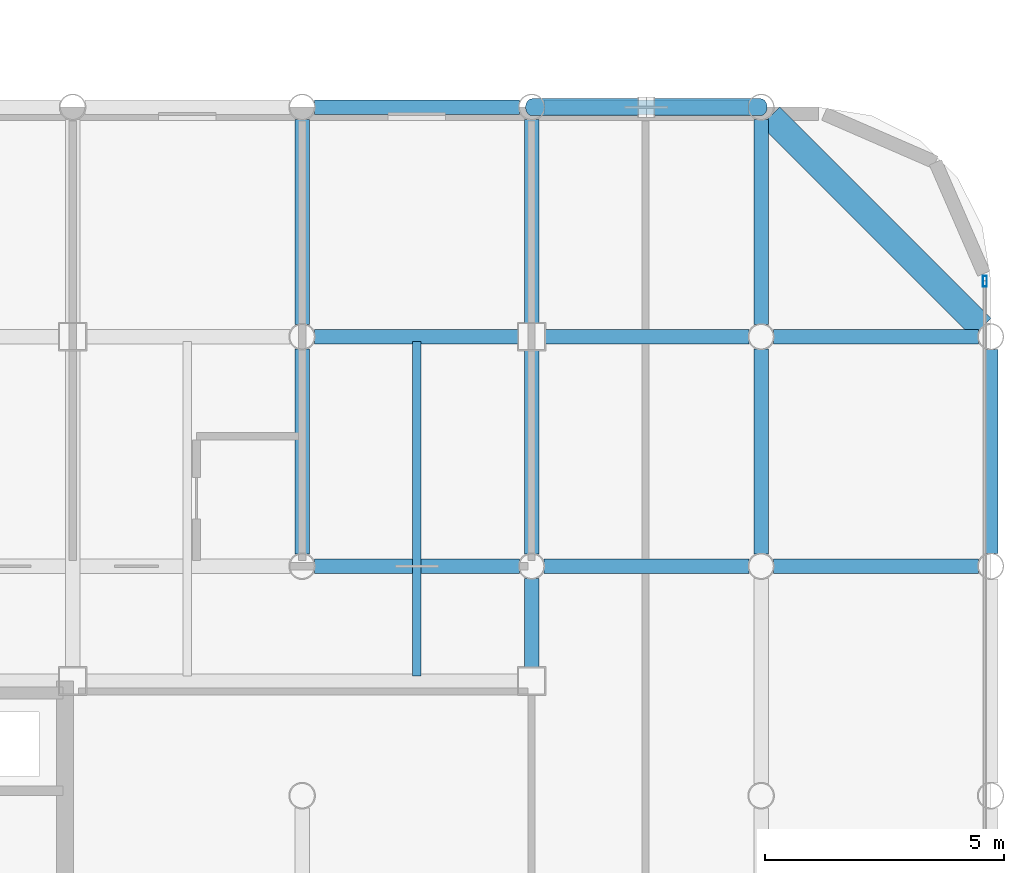
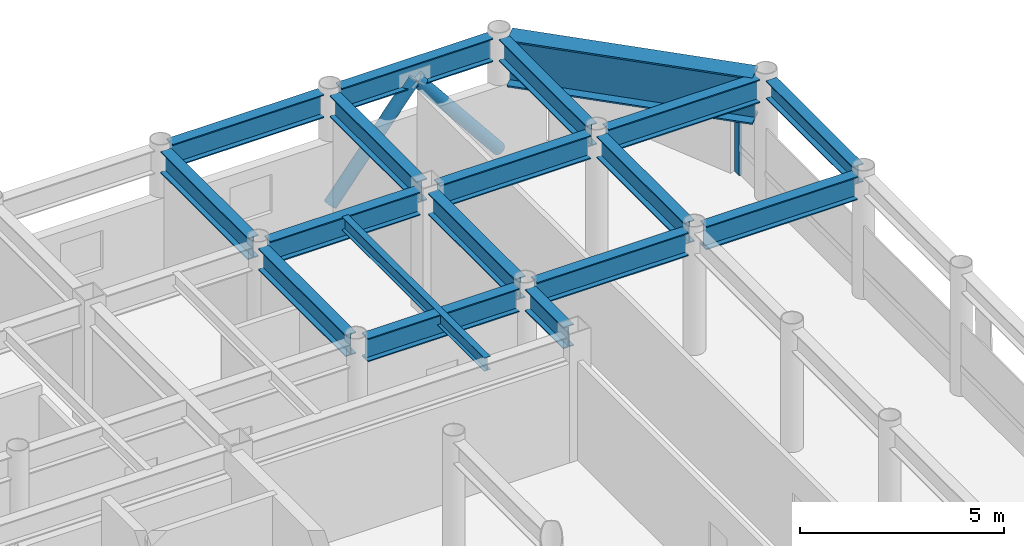
# One storey, part 15 of 23: 18 beams, 3 members, 1 element without a shape of its own.
"""IFC4 building model written with IfcOpenShell, lengths in metres."""

import ifcopenshell
import ifcopenshell.guid

model = None  # the IFC model being written
_history = None  # IfcOwnerHistory: only IFC2X3 demands one
_inside = {}  # id of a spatial element -> (the spatial element, [elements in it])
_under = {}  # id of a project, library or spatial element -> (it, [spatial elements below it])
_declared = {}  # id of a project -> (the project, [libraries it declares])
_typed = {}  # id of a type object -> (the type object, [elements of that type])
_made_of = {}  # id of a material, layer set ... -> (it, [elements and type objects made of it])


def new_model(schema):
    """Start an empty IFC model of exactly this schema.

    Asked for "IFC4X3", IfcOpenShell would pick the latest addendum, in which some entities
    have other attributes; the version numbers below select the first issue.
    IFC2X3 requires an IfcOwnerHistory on every rooted entity: one is made here for all.
    """
    global model, _history
    if schema == "IFC4X3":
        model = ifcopenshell.file(schema_version=(4, 3, 0, 0))
    else:
        model = ifcopenshell.file(schema=schema)
    _inside.clear()
    _under.clear()
    _declared.clear()
    _typed.clear()
    _made_of.clear()
    _history = None
    if model.schema == "IFC2X3":
        org = make("IfcOrganization", Name="unknown")
        user = make(
            "IfcPersonAndOrganization",
            ThePerson=make("IfcPerson", FamilyName="unknown"),
            TheOrganization=org,
        )
        app = make(
            "IfcApplication",
            ApplicationDeveloper=org,
            Version="unknown",
            ApplicationFullName="unknown",
            ApplicationIdentifier="unknown",
        )
        _history = make(
            "IfcOwnerHistory",
            OwningUser=user,
            OwningApplication=app,
            ChangeAction="ADDED",
            CreationDate=0,
        )
    return model


def make(cls, **values):
    """One entity of the class cls with the attributes given. An attribute that is None is left unset."""
    return model.create_entity(
        cls, **{name: value for name, value in values.items() if value is not None}
    )


def rooted(cls, **values):
    """An entity with a GlobalId (a new one), such as an element, a storey or a relation."""
    return make(cls, GlobalId=ifcopenshell.guid.new(), OwnerHistory=_history, **values)


def si_unit(unit_type, name, prefix=None):
    """IfcSIUnit, for example si_unit("LENGTHUNIT", "METRE", prefix="MILLI")."""
    return make("IfcSIUnit", UnitType=unit_type, Prefix=prefix, Name=name)


def assignment(units):
    """IfcUnitAssignment: the units of a project."""
    return None if units is None else make("IfcUnitAssignment", Units=units)


def point(xyz):
    """IfcCartesianPoint."""
    return None if xyz is None else make("IfcCartesianPoint", Coordinates=xyz)


def direction(xyz):
    """IfcDirection."""
    return None if xyz is None else make("IfcDirection", DirectionRatios=xyz)


def frame(location, z_axis=None, x_axis=None):
    """IfcAxis2Placement3D, a coordinate frame: its origin and axes. An axis left out is left unset."""
    return make(
        "IfcAxis2Placement3D",
        Location=point(location),
        Axis=direction(z_axis),
        RefDirection=direction(x_axis),
    )


def frame_2d(location, x_axis=None):
    """IfcAxis2Placement2D, a coordinate frame in the plane: its origin and x axis."""
    return make(
        "IfcAxis2Placement2D", Location=point(location), RefDirection=direction(x_axis)
    )


def origin():
    """The frame at (0, 0, 0) with its axes left unset."""
    return frame((0.0, 0.0, 0.0))


def origin_2d():
    """The frame at (0, 0) in the plane with its x axis left unset."""
    return frame_2d((0.0, 0.0))


def place(relative_to, where):
    """IfcLocalPlacement: puts the frame where relative to a parent placement (None: the world)."""
    return make(
        "IfcLocalPlacement", PlacementRelTo=relative_to, RelativePlacement=where
    )


def context(
    kind, dimensions, precision=None, world=None, true_north=None, identifier=None
):
    """IfcGeometricRepresentationContext, for example the 3D "Model" context."""
    return make(
        "IfcGeometricRepresentationContext",
        ContextIdentifier=identifier,
        ContextType=kind,
        CoordinateSpaceDimension=dimensions,
        Precision=precision,
        WorldCoordinateSystem=world,
        TrueNorth=true_north,
    )


def subcontext(parent, identifier, kind, view, scale=None):
    """IfcGeometricRepresentationSubContext, for example "Body" below "Model"."""
    return make(
        "IfcGeometricRepresentationSubContext",
        ContextIdentifier=identifier,
        ContextType=kind,
        ParentContext=parent,
        TargetScale=scale,
        TargetView=view,
    )


def project(units=None, contexts=None):
    """IfcProject with its units and contexts."""
    return rooted(
        "IfcProject",
        Name="project",
        RepresentationContexts=contexts,
        UnitsInContext=assignment(units),
    )


def spatial(cls, under=None, at=None, **own):
    """A site, building, storey or space (cls), placed at a placement, below another one or the project."""
    s = rooted(cls, ObjectPlacement=at, **own)
    if under is not None:
        _under.setdefault(under.id(), (under, []))[1].append(s)
    return s


def profile(cls, at=None, kind="AREA", **sizes):
    """A parametric profile (cls). Its sizes go by their IFC names, for example OverallWidth=200.0."""
    return make(cls, ProfileType=kind, Position=at, **sizes)


def hollow_rectangle(**sizes):
    """IfcRectangleHollowProfileDef."""
    return profile("IfcRectangleHollowProfileDef", **sizes)


def hollow_circle(**sizes):
    """IfcCircleHollowProfileDef."""
    return profile("IfcCircleHollowProfileDef", **sizes)


def i_section(**sizes):
    """IfcIShapeProfileDef."""
    return profile("IfcIShapeProfileDef", **sizes)


def extrude(swept, where, along, depth):
    """IfcExtrudedAreaSolid: the profile swept, set in the frame where, extruded along a direction by depth."""
    return make(
        "IfcExtrudedAreaSolid",
        SweptArea=swept,
        Position=where,
        ExtrudedDirection=direction(along),
        Depth=depth,
    )


def shape(context_of_items, identifier, shape_type, items):
    """IfcShapeRepresentation: the items that make up one representation, for example the "Body"."""
    return make(
        "IfcShapeRepresentation",
        ContextOfItems=context_of_items,
        RepresentationIdentifier=identifier,
        RepresentationType=shape_type,
        Items=items,
    )


def material(Name=None, Category=None):
    """IfcMaterial."""
    return make("IfcMaterial", Name=Name, Category=Category)


def layer(
    of_material, thickness, ventilated=None, Name=None, Category=None, Priority=None
):
    """IfcMaterialLayer: one layer of a wall or slab, of a material (None: an air gap)."""
    return make(
        "IfcMaterialLayer",
        Material=of_material,
        LayerThickness=thickness,
        IsVentilated=ventilated,
        Name=Name,
        Category=Category,
        Priority=Priority,
    )


def layer_set(layers, Name=None):
    """IfcMaterialLayerSet."""
    return make("IfcMaterialLayerSet", MaterialLayers=layers, LayerSetName=Name)


def material_profile(
    of_material, cross_section, Name=None, Category=None, Priority=None
):
    """IfcMaterialProfile: a cross section and its material."""
    return make(
        "IfcMaterialProfile",
        Name=Name,
        Material=of_material,
        Profile=cross_section,
        Priority=Priority,
        Category=Category,
    )


def profile_set(profiles, Name=None, composite=None):
    """IfcMaterialProfileSet."""
    return make(
        "IfcMaterialProfileSet",
        Name=Name,
        MaterialProfiles=profiles,
        CompositeProfile=composite,
    )


def made_of(thing, what):
    """Note that an element or type object is made of a material, layer set ...; save() writes the relation."""
    if what is not None:
        _made_of.setdefault(what.id(), (what, []))[1].append(thing)
    return thing


def type_object(cls, material=None, **own):
    """A type object (cls), such as IfcWallType, which elements share."""
    return made_of(rooted(cls, **own), material)


def element(
    cls,
    number,
    at=None,
    inside=None,
    cuts=None,
    type_object=None,
    material=None,
    context=None,
    identifier="Body",
    shape_type=None,
    held_by="IfcProductDefinitionShape",
    body=None,
    shapes=None,
    **own,
):
    """One element of the class cls, such as IfcWall. Its Tag is "e" and its number.

    at: its placement. inside: the storey or other place that contains it. cuts: it is an
    opening in that element (IfcRelVoidsElement). A single representation is given by context,
    identifier, shape_type and body (its items); several are given by shapes. held_by: the class
    of the entity that holds the representations. save() writes the other relations.
    """
    e = rooted(cls, Tag="e%d" % number, ObjectPlacement=at, **own)
    if body is not None:
        shapes = [shape(context, identifier, shape_type, body)]
    if shapes is not None:
        e.Representation = make(held_by, Representations=shapes)
    if inside is not None:
        _inside.setdefault(inside.id(), (inside, []))[1].append(e)
    if cuts is not None:
        rooted(
            "IfcRelVoidsElement", RelatingBuildingElement=cuts, RelatedOpeningElement=e
        )
    if type_object is not None:
        _typed.setdefault(type_object.id(), (type_object, []))[1].append(e)
    return made_of(e, material)


def aggregate(whole, parts):
    """IfcRelAggregates: a whole, such as a stair, and the parts it consists of."""
    return rooted("IfcRelAggregates", RelatingObject=whole, RelatedObjects=parts)


def save(model, path):
    """Write the relations noted so far, then the file.

    IfcRelAggregates (storeys below a building ...), IfcRelContainedInSpatialStructure (elements
    in a storey), IfcRelDefinesByType, IfcRelAssociatesMaterial and IfcRelDeclares: one each for
    every whole, place, type object, material and project.
    """
    for whole, parts in _under.values():
        aggregate(whole, parts)
    for where, things in _inside.values():
        rooted(
            "IfcRelContainedInSpatialStructure",
            RelatedElements=things,
            RelatingStructure=where,
        )
    for kind, things in _typed.values():
        rooted("IfcRelDefinesByType", RelatedObjects=things, RelatingType=kind)
    for what, things in _made_of.values():
        rooted("IfcRelAssociatesMaterial", RelatedObjects=things, RelatingMaterial=what)
    for by, libraries in _declared.values():
        rooted("IfcRelDeclares", RelatingContext=by, RelatedDefinitions=libraries)
    model.write(path)


model = new_model("IFC4")

# Units and contexts
model_context = context("Model", 3, precision=1e-05, world=origin(), true_north=direction((0.0, 1.0)))
body_context = subcontext(model_context, "Body", "Model", "MODEL_VIEW")
ifc_project = project(units=[si_unit("LENGTHUNIT", "METRE"), si_unit("AREAUNIT", "SQUARE_METRE"), si_unit("VOLUMEUNIT", "CUBIC_METRE"), si_unit("PLANEANGLEUNIT", "RADIAN"), si_unit("MASSUNIT", "GRAM", prefix="KILO")], contexts=[model_context])

# Site, building, storey
site_placement = place(None, origin())
site = spatial("IfcSite", under=ifc_project, at=site_placement, CompositionType="ELEMENT")
building_placement = place(site_placement, origin())
building = spatial("IfcBuilding", under=site, at=building_placement, Name="Kallvorn Hotel Tower", CompositionType="ELEMENT")
storey_placement = place(building_placement, frame((0.0, 0.0, 195.35009765625)))
storey = spatial("IfcBuildingStorey", under=building, at=storey_placement, Name="L48", CompositionType="ELEMENT", Elevation=195.35009765625)

# Beams
ifc_material_1 = material(Name="Structural steel S355JR", Category="steel")
ifc_material_profile_1 = material_profile(ifc_material_1, i_section(OverallWidth=0.300048828125, OverallDepth=0.550048828125, WebThickness=0.014892578125, FlangeThickness=0.029052734375, at=origin_2d()), Name="HE 550 B")
ifc_profile_set_1 = profile_set([ifc_material_profile_1], Name="Structural steel S355JR")
beam_type_1 = type_object("IfcBeamType", Name="BM_HE550B", PredefinedType="SPANDREL", material=ifc_profile_set_1)
beam_1_placement = place(storey_placement, frame((33.60009765625, 9.869384765625, 3.39501953125), z_axis=(0.0, 1.0, 0.0), x_axis=(-1.0, 0.0, 0.0)))
element("IfcBeam", 1, at=beam_1_placement, inside=storey, type_object=beam_type_1, Name="L49 Perimeter Spandrel 188", PredefinedType="SPANDREL", context=body_context, shape_type="SweptSolid", body=[
    extrude(i_section(OverallWidth=0.300048828125, OverallDepth=0.550048828125, WebThickness=0.014892578125, FlangeThickness=0.029052734375, at=origin_2d()), origin(), (0.0, 0.0, 1.0), 4.26123046875),
])
ifc_material_2 = material(Name="Structural steel S355JR", Category="steel")
ifc_material_profile_2 = material_profile(ifc_material_2, i_section(OverallWidth=0.300048828125, OverallDepth=0.64990234375, WebThickness=0.01611328125, FlangeThickness=0.031005859375, at=origin_2d()), Name="HE 650 B")
ifc_profile_set_2 = profile_set([ifc_material_profile_2], Name="Structural steel S355JR")
beam_type_2 = type_object("IfcBeamType", Name="BM_HE650B", PredefinedType="BEAM", material=ifc_profile_set_2)
for number, where, z_axis, x_axis, name in (
    (2, (19.199951171875, 9.8544921875, 3.344970703125), (0.0, 1.0, 0.0), (-1.0, 0.0, 0.0), "L49 Primary Y-Girder 133"),
    (3, (19.199951171875, 14.654541015625, 3.344970703125), (0.0, 1.0, 0.0), (-1.0, 0.0, 0.0), "L49 Primary Y-Girder 134"),
):
    element("IfcBeam", number, at=place(storey_placement, frame(where, z_axis=z_axis, x_axis=x_axis)), inside=storey, type_object=beam_type_2, Name=name, PredefinedType="BEAM", context=body_context, shape_type="SweptSolid", body=[
        extrude(i_section(OverallWidth=0.300048828125, OverallDepth=0.64990234375, WebThickness=0.01611328125, FlangeThickness=0.031005859375, at=origin_2d()), origin(), (0.0, 0.0, 1.0), 4.291015625),
    ])
beam_2_placement = place(storey_placement, frame((24.0, 7.47509765625, 3.344970703125), z_axis=(0.0, 1.0, 0.0), x_axis=(-1.0, 0.0, 0.0)))
element("IfcBeam", 4, at=beam_2_placement, inside=storey, type_object=beam_type_2, Name="L49 Primary Y-Girder 139", PredefinedType="BEAM", context=body_context, shape_type="SweptSolid", body=[
    extrude(i_section(OverallWidth=0.300048828125, OverallDepth=0.64990234375, WebThickness=0.01611328125, FlangeThickness=0.031005859375, at=origin_2d()), origin(), (0.0, 0.0, 1.0), 1.870361328125),
])
for number, where, z_axis, x_axis, name in (
    (5, (24.0, 9.8544921875, 3.344970703125), (0.0, 1.0, 0.0), (-1.0, 0.0, 0.0), "L49 Primary Y-Girder 140"),
    (6, (24.0, 14.675048828125, 3.344970703125), (0.0, 1.0, 0.0), (-1.0, 0.0, 0.0), "L49 Primary Y-Girder 141"),
):
    element("IfcBeam", number, at=place(storey_placement, frame(where, z_axis=z_axis, x_axis=x_axis)), inside=storey, type_object=beam_type_2, Name=name, PredefinedType="BEAM", context=body_context, shape_type="SweptSolid", body=[
        extrude(i_section(OverallWidth=0.300048828125, OverallDepth=0.64990234375, WebThickness=0.01611328125, FlangeThickness=0.031005859375, at=origin_2d()), origin(), (0.0, 0.0, 1.0), 4.2705078125),
    ])
for number, where, z_axis, x_axis, name in (
    (7, (28.800048828125, 9.8544921875, 3.344970703125), (0.0, 1.0, 0.0), (-1.0, 0.0, 0.0), "L49 Primary Y-Girder 149"),
    (8, (28.800048828125, 14.654541015625, 3.344970703125), (0.0, 1.0, 0.0), (-1.0, 0.0, 0.0), "L49 Primary Y-Girder 150"),
):
    element("IfcBeam", number, at=place(storey_placement, frame(where, z_axis=z_axis, x_axis=x_axis)), inside=storey, type_object=beam_type_2, Name=name, PredefinedType="BEAM", context=body_context, shape_type="SweptSolid", body=[
        extrude(i_section(OverallWidth=0.300048828125, OverallDepth=0.64990234375, WebThickness=0.01611328125, FlangeThickness=0.031005859375, at=origin_2d()), origin(), (0.0, 0.0, 1.0), 4.291015625),
    ])
ifc_material_3 = material(Name="Structural steel S355JR", Category="steel")
ifc_material_profile_3 = material_profile(ifc_material_3, i_section(OverallWidth=0.300048828125, OverallDepth=0.699951171875, WebThickness=0.01708984375, FlangeThickness=0.031982421875, at=origin_2d()), Name="HE 700 B")
ifc_profile_set_3 = profile_set([ifc_material_profile_3], Name="Structural steel S355JR")
beam_type_3 = type_object("IfcBeamType", Name="BM_HE700B", PredefinedType="BEAM", material=ifc_profile_set_3)
for number, where, z_axis, x_axis, name in (
    (9, (19.45458984375, 9.60009765625, 3.31982421875), (1.0, 0.0, 0.0), (0.0, 1.0, 0.0), "L49 Primary X-Girder 48"),
    (10, (24.25439453125, 9.60009765625, 3.31982421875), (1.0, 0.0, 0.0), (0.0, 1.0, 0.0), "L49 Primary X-Girder 49"),
    (11, (29.054443359375, 9.60009765625, 3.31982421875), (1.0, 0.0, 0.0), (0.0, 1.0, 0.0), "L49 Primary X-Girder 50"),
):
    element("IfcBeam", number, at=place(storey_placement, frame(where, z_axis=z_axis, x_axis=x_axis)), inside=storey, type_object=beam_type_3, Name=name, PredefinedType="BEAM", context=body_context, shape_type="SweptSolid", body=[
        extrude(i_section(OverallWidth=0.300048828125, OverallDepth=0.699951171875, WebThickness=0.01708984375, FlangeThickness=0.031982421875, at=origin_2d()), origin(), (0.0, 0.0, 1.0), 4.291015625),
    ])
for number, where, z_axis, x_axis, name in (
    (12, (19.45458984375, 14.39990234375, 3.31982421875), (1.0, 0.0, 0.0), (0.0, 1.0, 0.0), "L49 Primary X-Girder 58"),
    (13, (24.27490234375, 14.39990234375, 3.31982421875), (1.0, 0.0, 0.0), (0.0, 1.0, 0.0), "L49 Primary X-Girder 59"),
):
    element("IfcBeam", number, at=place(storey_placement, frame(where, z_axis=z_axis, x_axis=x_axis)), inside=storey, type_object=beam_type_3, Name=name, PredefinedType="BEAM", context=body_context, shape_type="SweptSolid", body=[
        extrude(i_section(OverallWidth=0.300048828125, OverallDepth=0.699951171875, WebThickness=0.01708984375, FlangeThickness=0.031982421875, at=origin_2d()), origin(), (0.0, 0.0, 1.0), 4.2705078125),
    ])
for number, where, z_axis, x_axis, name in (
    (14, (29.054443359375, 14.39990234375, 3.31982421875), (1.0, 0.0, 0.0), (0.0, 1.0, 0.0), "L49 Primary X-Girder 60"),
    (15, (19.45458984375, 19.199951171875, 3.31982421875), (1.0, 0.0, 0.0), (0.0, 1.0, 0.0), "L49 Primary X-Girder 71"),
    (16, (24.25439453125, 19.199951171875, 3.31982421875), (1.0, 0.0, 0.0), (0.0, 1.0, 0.0), "L49 Primary X-Girder 72"),
):
    element("IfcBeam", number, at=place(storey_placement, frame(where, z_axis=z_axis, x_axis=x_axis)), inside=storey, type_object=beam_type_3, Name=name, PredefinedType="BEAM", context=body_context, shape_type="SweptSolid", body=[
        extrude(i_section(OverallWidth=0.300048828125, OverallDepth=0.699951171875, WebThickness=0.01708984375, FlangeThickness=0.031982421875, at=origin_2d()), origin(), (0.0, 0.0, 1.0), 4.291015625),
    ])
ifc_material_4 = material(Name="Structural steel S355JR", Category="steel")
ifc_material_profile_4 = material_profile(ifc_material_4, i_section(OverallWidth=0.179931640625, OverallDepth=0.39990234375, WebThickness=0.008544921875, FlangeThickness=0.013427734375, at=origin_2d()), Name="IPE 400")
ifc_profile_set_4 = profile_set([ifc_material_profile_4], Name="Structural steel S355JR")
beam_type_4 = type_object("IfcBeamType", Name="BM_IPE400", PredefinedType="JOIST", material=ifc_profile_set_4)
beam_3_placement = place(storey_placement, frame((21.60009765625, 7.300048828125, 3.469970703125), z_axis=(0.0, 1.0, 0.0), x_axis=(-1.0, 0.0, 0.0)))
element("IfcBeam", 17, at=beam_3_placement, inside=storey, type_object=beam_type_4, Name="L49 Secondary Composite Joist 209", PredefinedType="JOIST", context=body_context, shape_type="SweptSolid", body=[
    extrude(i_section(OverallWidth=0.179931640625, OverallDepth=0.39990234375, WebThickness=0.008544921875, FlangeThickness=0.013427734375, at=origin_2d()), origin(), (0.0, 0.0, 1.0), 7.0),
])
ifc_material_5 = material(Name="Structural steel S355JR", Category="steel")
ifc_material_profile_5 = material_profile(ifc_material_5, i_section(OverallWidth=0.550048828125, OverallDepth=1.39990234375, WebThickness=0.02490234375, FlangeThickness=0.044921875, at=origin_2d()), Name="PG 1400x550x25x45")
ifc_profile_set_5 = profile_set([ifc_material_profile_5], Name="Structural steel S355JR")
beam_type_5 = type_object("IfcBeamType", Name="BM_PG_1400", PredefinedType="BEAM", material=ifc_profile_set_5)
beam_4_placement = place(storey_placement, frame((33.409423828125, 14.590576171875, 2.969970703125), z_axis=(-0.707106781187, 0.707106781187, 0.0), x_axis=(-0.707106781187, -0.707106781187, 0.0)))
element("IfcBeam", 18, at=beam_4_placement, inside=storey, type_object=beam_type_5, Name="L49 Rounded Corner Tie Beam 191", PredefinedType="BEAM", context=body_context, shape_type="SweptSolid", body=[
    extrude(i_section(OverallWidth=0.550048828125, OverallDepth=1.39990234375, WebThickness=0.02490234375, FlangeThickness=0.044921875, at=origin_2d()), origin(), (0.0, 0.0, 1.0), 6.249267578125),
])

# Curtain wall, member
ifc_material_6 = material(Name="Thermally broken black-anodised aluminium AA 6063-T6", Category="aluminium")
ifc_layer = layer(ifc_material_6, 0.22998046875)
ifc_layer_set = layer_set([ifc_layer], Name="CW_SYS_5_HOTEL_HIGH")
curtain_wall_type = type_object("IfcCurtainWallType", Name="CW_SYS_5_HOTEL_HIGH", PredefinedType="USERDEFINED", material=ifc_layer_set)
curtain_wall_placement = place(storey_placement, origin())
curtain_wall = element("IfcCurtainWall", 19, at=curtain_wall_placement, inside=storey, type_object=curtain_wall_type, Name="L48 Dark-Glass Curtain Wall CW-L48-EN", ObjectType="UNITISED CURTAIN WALL", PredefinedType="USERDEFINED")
ifc_material_7 = material(Name="Thermally broken black-anodised aluminium AA 6063-T6", Category="aluminium")
ifc_material_profile_6 = material_profile(ifc_material_7, hollow_rectangle(XDim=0.080078125, YDim=0.219970703125, WallThickness=0.0048828125, at=origin_2d()), Name="MUL 220x80")
ifc_profile_set_6 = profile_set([ifc_material_profile_6], Name="Thermally broken black-anodised aluminium AA 6063-T6")
member_type_1 = type_object("IfcMemberType", Name="CW_MULLION_220x80", PredefinedType="MULLION", material=ifc_profile_set_6)
member_placement = place(storey_placement, frame((33.47998046875, 15.56005859375, 0.02001953125), z_axis=(0.0, 0.0, 1.0), x_axis=(1.0, 0.0, 0.0)))
member = element("IfcMember", 20, at=member_placement, type_object=member_type_1, Name="CW-L48-EN Mullion 01", PredefinedType="MULLION", context=body_context, shape_type="SweptSolid", body=[
    extrude(hollow_rectangle(XDim=0.080078125, YDim=0.219970703125, WallThickness=0.0048828125, at=origin_2d()), origin(), (0.0, 0.0, 1.0), 2.22998046875),
])
aggregate(curtain_wall, [member])

# Members
ifc_material_8 = material(Name="Structural steel S355J2H", Category="steel")
ifc_material_profile_7 = material_profile(ifc_material_8, hollow_circle(Radius=0.177734375, WallThickness=0.01416015625, at=origin_2d()), Name="CHS 355.6x14.2")
ifc_profile_set_7 = profile_set([ifc_material_profile_7], Name="Structural steel S355J2H")
member_type_2 = type_object("IfcMemberType", Name="MBR_EXO_CHS355", PredefinedType="BRACE", material=ifc_profile_set_7)
for number, where, z_axis, x_axis, name in (
    (21, (24.012451171875, 19.199951171875, 0.195556640625), (0.627270878626, 0.0, 0.778801158722), (0.0, 1.0, 0.0), "L48 Exoskeleton K-Brace N2A"),
    (22, (28.78759765625, 19.199951171875, 0.195556640625), (-0.627270878626, 0.0, 0.778801158722), (0.0, -1.0, 0.0), "L48 Exoskeleton K-Brace N2B"),
):
    element("IfcMember", number, at=place(storey_placement, frame(where, z_axis=z_axis, x_axis=x_axis)), inside=storey, type_object=member_type_2, Name=name, PredefinedType="BRACE", context=body_context, shape_type="SweptSolid", body=[
        extrude(hollow_circle(Radius=0.177734375, WallThickness=0.01416015625, at=origin_2d()), origin(), (0.0, 0.0, 1.0), 3.7861328125),
    ])

save(model, "model.ifc")
